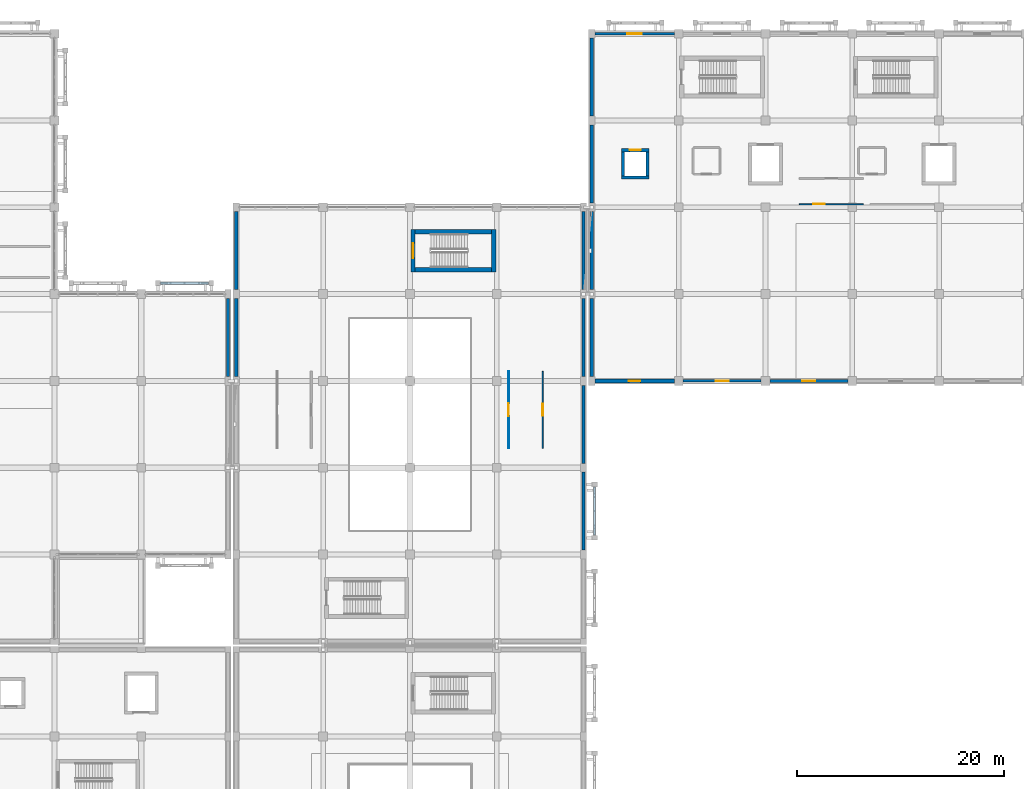
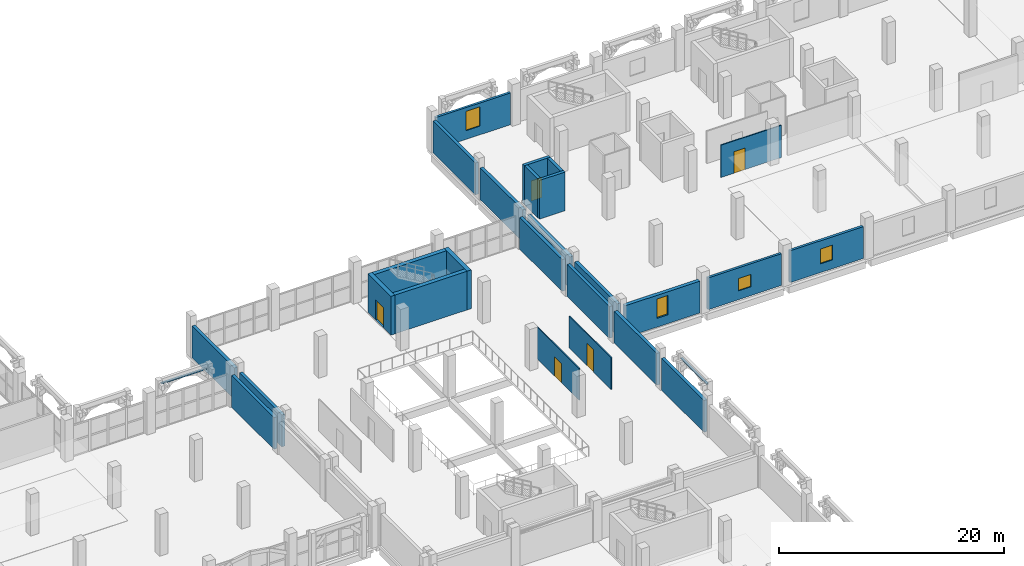
# One storey, part 117 of 137: 28 walls, 5 doors, 4 windows, 9 openings.
"""IFC4 building model written with IfcOpenShell, lengths in metres."""

from ifc_helpers import new_model, si_unit, direction, frame, frame_2d, origin, place, context, subcontext, project, spatial, rectangle, extrude, material, layer, layer_set, type_object, element, fill, save


model = new_model("IFC4")

# Units and contexts
model_context = context("Model", 3, precision=1e-05, world=origin(), true_north=direction((0.0, 1.0)))
body_context = subcontext(model_context, "Body", "Model", "MODEL_VIEW")
ifc_project = project(units=[si_unit("LENGTHUNIT", "METRE"), si_unit("AREAUNIT", "SQUARE_METRE"), si_unit("VOLUMEUNIT", "CUBIC_METRE"), si_unit("PLANEANGLEUNIT", "RADIAN"), si_unit("MASSUNIT", "GRAM", prefix="KILO")], contexts=[model_context])

# Site, building, storey
site_placement = place(None, origin())
site = spatial("IfcSite", under=ifc_project, at=site_placement, CompositionType="ELEMENT")
building_placement = place(site_placement, origin())
building = spatial("IfcBuilding", under=site, at=building_placement, Name="Xazarin Passage Department Store", CompositionType="ELEMENT")
storey_placement = place(building_placement, frame((0.0, 0.0, 5.39990234375)))
storey = spatial("IfcBuildingStorey", under=building, at=storey_placement, Name="L01", CompositionType="ELEMENT", Elevation=5.39990234375)

# Wall, opening, window
ifc_material_1 = material(Name="Precast concrete C40/50", Category="concrete")
ifc_layer_1 = layer(ifc_material_1, 0.239990234375)
ifc_layer_set_1 = layer_set([ifc_layer_1], Name="Precast concrete C40/50")
wall_type_1 = type_object("IfcWallType", Name="ARC-W-EXT240", PredefinedType="SOLIDWALL", material=ifc_layer_set_1)
wall_1_placement = place(storey_placement, frame((111.22509765625, 76.39990234375, 0.0), z_axis=(0.0, 0.0, 1.0), x_axis=(1.0, 0.0, 0.0)))
wall_1 = element("IfcWall", 1, at=wall_1_placement, inside=storey, type_object=wall_type_1, Name="L01 V4 Exterior Wall 272", PredefinedType="SOLIDWALL", context=body_context, shape_type="SweptSolid", body=[
    extrude(rectangle(XDim=7.5498046875, YDim=0.239990234375, at=frame_2d((3.77490234375, 0.0))), origin(), (0.0, 0.0, 1.0), 3.4501953125),
])
opening_1_placement = place(wall_1_placement, frame((3.14990234375, 0.0, 0.949951171875)))
opening_1 = element("IfcOpeningElement", 2, at=opening_1_placement, cuts=wall_1, Name="Opening W09", PredefinedType="OPENING", context=body_context, shape_type="SweptSolid", body=[
    extrude(rectangle(XDim=1.25, YDim=1.35009765625, at=frame_2d((0.625, 0.675048828125))), frame((0.0, 0.1298828125, 0.0), z_axis=(0.0, -1.0, 0.0), x_axis=(1.0, 0.0, 0.0)), (0.0, 0.0, 1.0), 0.260009765625),
])
ifc_material_2 = material(Name="Low-E laminated safety glass", Category="glass")
window_type_1 = type_object("IfcWindowType", Name="ARC-WIN-W09", PartitioningType="SINGLE_PANEL", PredefinedType="WINDOW", material=ifc_material_2)
window_1_placement = place(opening_1_placement, origin())
window_1 = element("IfcWindow", 3, at=window_1_placement, inside=storey, type_object=window_type_1, Name="L01 V4 Facade Window 0057", OverallHeight=1.35009765625, OverallWidth=1.25, PartitioningType="SINGLE_PANEL", PredefinedType="WINDOW", context=body_context, shape_type="SweptSolid", body=[
    extrude(rectangle(XDim=1.25, YDim=1.35009765625, at=frame_2d((0.625, 0.675048828125))), frame((0.0, 0.030029296875, 0.0), z_axis=(0.0, -1.0, 0.0), x_axis=(1.0, 0.0, 0.0)), (0.0, 0.0, 1.0), 0.06005859375),
])
fill(opening_1, window_1)

wall_2_placement = place(storey_placement, frame((102.699951171875, 110.0, 0.0), z_axis=(0.0, 0.0, 1.0), x_axis=(1.0, 0.0, 0.0)))
wall_2 = element("IfcWall", 4, at=wall_2_placement, inside=storey, type_object=wall_type_1, Name="L01 V4 Exterior Wall 279", PredefinedType="SOLIDWALL", context=body_context, shape_type="SweptSolid", body=[
    extrude(rectangle(XDim=7.675048828125, YDim=0.239990234375, at=frame_2d((3.83740234375, 0.0))), origin(), (0.0, 0.0, 1.0), 3.4501953125),
])
opening_2_placement = place(wall_2_placement, frame((3.137451171875, 0.0, 0.949951171875)))
opening_2 = element("IfcOpeningElement", 5, at=opening_2_placement, cuts=wall_2, Name="Opening W16", PredefinedType="OPENING", context=body_context, shape_type="SweptSolid", body=[
    extrude(rectangle(XDim=1.39990234375, YDim=2.10009765625, at=frame_2d((0.699951171875, 1.050048828125))), frame((0.0, 0.1298828125, 0.0), z_axis=(0.0, -1.0, 0.0), x_axis=(1.0, 0.0, 0.0)), (0.0, 0.0, 1.0), 0.260009765625),
])
window_type_2 = type_object("IfcWindowType", Name="ARC-WIN-W16", PartitioningType="SINGLE_PANEL", PredefinedType="WINDOW", material=ifc_material_2)
window_2_placement = place(opening_2_placement, origin())
window_2 = element("IfcWindow", 6, at=window_2_placement, inside=storey, type_object=window_type_2, Name="L01 V4 Facade Window 0064", OverallHeight=2.10009765625, OverallWidth=1.39990234375, PartitioningType="SINGLE_PANEL", PredefinedType="WINDOW", context=body_context, shape_type="SweptSolid", body=[
    extrude(rectangle(XDim=1.39990234375, YDim=2.10009765625, at=frame_2d((0.699951171875, 1.050048828125))), frame((0.0, 0.030029296875, 0.0), z_axis=(0.0, -1.0, 0.0), x_axis=(1.0, 0.0, 0.0)), (0.0, 0.0, 1.0), 0.06005859375),
])
fill(opening_2, window_2)

ifc_layer_2 = layer(ifc_material_1, 0.260009765625)
ifc_layer_set_2 = layer_set([ifc_layer_2], Name="Precast concrete C40/50")
wall_type_2 = type_object("IfcWallType", Name="ARC-W-EXT260", PredefinedType="SOLIDWALL", material=ifc_layer_set_2)
wall_3_placement = place(storey_placement, frame((119.625, 76.39990234375, 0.0), z_axis=(0.0, 0.0, 1.0), x_axis=(1.0, 0.0, 0.0)))
wall_3 = element("IfcWall", 7, at=wall_3_placement, inside=storey, type_object=wall_type_2, Name="L01 V4 Exterior Wall 273", PredefinedType="SOLIDWALL", context=body_context, shape_type="SweptSolid", body=[
    extrude(rectangle(XDim=7.550048828125, YDim=0.260009765625, at=frame_2d((3.77490234375, 0.0))), origin(), (0.0, 0.0, 1.0), 3.4501953125),
])
opening_3_placement = place(wall_3_placement, frame((3.14990234375, 0.0, 0.949951171875)))
opening_3 = element("IfcOpeningElement", 8, at=opening_3_placement, cuts=wall_3, Name="Opening W10", PredefinedType="OPENING", context=body_context, shape_type="SweptSolid", body=[
    extrude(rectangle(XDim=1.25, YDim=1.60009765625, at=frame_2d((0.625, 0.800048828125))), frame((0.0, 0.139892578125, 0.0), z_axis=(0.0, -1.0, 0.0), x_axis=(1.0, 0.0, 0.0)), (0.0, 0.0, 1.0), 0.280029296875),
])
window_type_3 = type_object("IfcWindowType", Name="ARC-WIN-W10", PartitioningType="SINGLE_PANEL", PredefinedType="WINDOW", material=ifc_material_2)
window_3_placement = place(opening_3_placement, origin())
window_3 = element("IfcWindow", 9, at=window_3_placement, inside=storey, type_object=window_type_3, Name="L01 V4 Facade Window 0058", OverallHeight=1.60009765625, OverallWidth=1.25, PartitioningType="SINGLE_PANEL", PredefinedType="WINDOW", context=body_context, shape_type="SweptSolid", body=[
    extrude(rectangle(XDim=1.25, YDim=1.60009765625, at=frame_2d((0.625, 0.800048828125))), frame((0.0, 0.030029296875, 0.0), z_axis=(0.0, -1.0, 0.0), x_axis=(1.0, 0.0, 0.0)), (0.0, 0.0, 1.0), 0.06005859375),
])
fill(opening_3, window_3)

# Walls
ifc_material_3 = material(Name="Buff Baku clay brick", Category="masonry")
ifc_layer_3 = layer(ifc_material_3, 0.320068359375)
ifc_layer_set_3 = layer_set([ifc_layer_3], Name="Buff Baku clay brick")
wall_type_3 = type_object("IfcWallType", Name="ARC-W-EXT320", PredefinedType="SOLIDWALL", material=ifc_layer_set_3)
for number, where, z_axis, x_axis, name in (
    (10, (67.199951171875, 76.824951171875, 0.0), (0.0, 0.0, 1.0), (0.0, 1.0, 0.0), "L01 V1 Exterior Wall 032"),
    (11, (68.0, 76.824951171875, 0.0), (0.0, 0.0, 1.0), (0.0, 1.0, 0.0), "L01 V2N Exterior Wall 161"),
):
    element("IfcWall", number, at=place(storey_placement, frame(where, z_axis=z_axis, x_axis=x_axis)), inside=storey, type_object=wall_type_3, Name=name, PredefinedType="SOLIDWALL", context=body_context, shape_type="SweptSolid", body=[
        extrude(rectangle(XDim=7.550048828125, YDim=0.320068359375, at=frame_2d((3.77490234375, 0.0))), origin(), (0.0, 0.0, 1.0), 3.4501953125),
    ])
wall_4_placement = place(storey_placement, frame((68.0, 85.22509765625, 0.0), z_axis=(0.0, 0.0, 1.0), x_axis=(0.0, 1.0, 0.0)))
element("IfcWall", 12, at=wall_4_placement, inside=storey, type_object=wall_type_3, Name="L01 V2N Exterior Wall 162", PredefinedType="SOLIDWALL", context=body_context, shape_type="SweptSolid", body=[
    extrude(rectangle(XDim=7.5498046875, YDim=0.320068359375, at=frame_2d((3.77490234375, 0.0))), origin(), (0.0, 0.0, 1.0), 3.4501953125),
])
for number, where, z_axis, x_axis, name in (
    (13, (101.60009765625, 60.02490234375, 0.0), (0.0, 0.0, 1.0), (0.0, 1.0, 0.0), "L01 V2N Exterior Wall 164"),
    (14, (101.60009765625, 68.425048828125, 0.0), (0.0, 0.0, 1.0), (0.0, 1.0, 0.0), "L01 V2N Exterior Wall 165"),
    (15, (101.60009765625, 76.824951171875, 0.0), (0.0, 0.0, 1.0), (0.0, 1.0, 0.0), "L01 V2N Exterior Wall 166"),
):
    element("IfcWall", number, at=place(storey_placement, frame(where, z_axis=z_axis, x_axis=x_axis)), inside=storey, type_object=wall_type_3, Name=name, PredefinedType="SOLIDWALL", context=body_context, shape_type="SweptSolid", body=[
        extrude(rectangle(XDim=7.550048828125, YDim=0.320068359375, at=frame_2d((3.77490234375, 0.0))), origin(), (0.0, 0.0, 1.0), 3.4501953125),
    ])
wall_5_placement = place(storey_placement, frame((101.60009765625, 85.22509765625, 0.0), z_axis=(0.0, 0.0, 1.0), x_axis=(0.0, 1.0, 0.0)))
element("IfcWall", 16, at=wall_5_placement, inside=storey, type_object=wall_type_3, Name="L01 V2N Exterior Wall 167", PredefinedType="SOLIDWALL", context=body_context, shape_type="SweptSolid", body=[
    extrude(rectangle(XDim=7.5498046875, YDim=0.320068359375, at=frame_2d((3.77490234375, 0.0))), origin(), (0.0, 0.0, 1.0), 3.4501953125),
])
wall_6_placement = place(storey_placement, frame((102.39990234375, 76.824951171875, 0.0), z_axis=(0.0, 0.0, 1.0), x_axis=(0.0, 1.0, 0.0)))
element("IfcWall", 17, at=wall_6_placement, inside=storey, type_object=wall_type_3, Name="L01 V4 Exterior Wall 287", PredefinedType="SOLIDWALL", context=body_context, shape_type="SweptSolid", body=[
    extrude(rectangle(XDim=7.550048828125, YDim=0.320068359375, at=frame_2d((3.77490234375, 0.0))), origin(), (0.0, 0.0, 1.0), 3.4501953125),
])
wall_7_placement = place(storey_placement, frame((102.39990234375, 85.22509765625, 0.0), z_axis=(0.0, 0.0, 1.0), x_axis=(0.0, 1.0, 0.0)))
element("IfcWall", 18, at=wall_7_placement, inside=storey, type_object=wall_type_3, Name="L01 V4 Exterior Wall 288", PredefinedType="SOLIDWALL", context=body_context, shape_type="SweptSolid", body=[
    extrude(rectangle(XDim=7.5498046875, YDim=0.320068359375, at=frame_2d((3.77490234375, 0.0))), origin(), (0.0, 0.0, 1.0), 3.4501953125),
])
for number, where, z_axis, x_axis, name in (
    (19, (102.39990234375, 93.625, 0.0), (0.0, 0.0, 1.0), (0.0, 1.0, 0.0), "L01 V4 Exterior Wall 289"),
    (20, (102.39990234375, 102.02490234375, 0.0), (0.0, 0.0, 1.0), (0.0, 1.0, 0.0), "L01 V4 Exterior Wall 290"),
):
    element("IfcWall", number, at=place(storey_placement, frame(where, z_axis=z_axis, x_axis=x_axis)), inside=storey, type_object=wall_type_3, Name=name, PredefinedType="SOLIDWALL", context=body_context, shape_type="SweptSolid", body=[
        extrude(rectangle(XDim=7.550048828125, YDim=0.320068359375, at=frame_2d((3.77490234375, 0.0))), origin(), (0.0, 0.0, 1.0), 3.4501953125),
    ])

# Wall, opening, window
ifc_material_4 = material(Name="Absheron limestone cladding", Category="masonry")
ifc_layer_4 = layer(ifc_material_4, 0.360107421875)
ifc_layer_set_4 = layer_set([ifc_layer_4], Name="Absheron limestone cladding")
wall_type_4 = type_object("IfcWallType", Name="ARC-W-EXT360", PredefinedType="SOLIDWALL", material=ifc_layer_set_4)
wall_8_placement = place(storey_placement, frame((102.699951171875, 76.39990234375, 0.0), z_axis=(0.0, 0.0, 1.0), x_axis=(1.0, 0.0, 0.0)))
wall_8 = element("IfcWall", 21, at=wall_8_placement, inside=storey, type_object=wall_type_4, Name="L01 V4 Exterior Wall 271", PredefinedType="SOLIDWALL", context=body_context, shape_type="SweptSolid", body=[
    extrude(rectangle(XDim=7.675048828125, YDim=0.360107421875, at=frame_2d((3.83740234375, 0.0))), origin(), (0.0, 0.0, 1.0), 3.4501953125),
])
opening_4_placement = place(wall_8_placement, frame((3.28759765625, 0.0, 0.949951171875)))
opening_4 = element("IfcOpeningElement", 22, at=opening_4_placement, cuts=wall_8, Name="Opening W08", PredefinedType="OPENING", context=body_context, shape_type="SweptSolid", body=[
    extrude(rectangle(XDim=1.10009765625, YDim=2.10009765625, at=frame_2d((0.550048828125, 1.050048828125))), frame((0.0, 0.18994140625, 0.0), z_axis=(0.0, -1.0, 0.0), x_axis=(1.0, 0.0, 0.0)), (0.0, 0.0, 1.0), 0.380126953125),
])
window_type_4 = type_object("IfcWindowType", Name="ARC-WIN-W08", PartitioningType="SINGLE_PANEL", PredefinedType="WINDOW", material=ifc_material_2)
window_4_placement = place(opening_4_placement, origin())
window_4 = element("IfcWindow", 23, at=window_4_placement, inside=storey, type_object=window_type_4, Name="L01 V4 Facade Window 0056", OverallHeight=2.10009765625, OverallWidth=1.10009765625, PartitioningType="SINGLE_PANEL", PredefinedType="WINDOW", context=body_context, shape_type="SweptSolid", body=[
    extrude(rectangle(XDim=1.10009765625, YDim=2.10009765625, at=frame_2d((0.550048828125, 1.050048828125))), frame((0.0, 0.030029296875, 0.0), z_axis=(0.0, -1.0, 0.0), x_axis=(1.0, 0.0, 0.0)), (0.0, 0.0, 1.0), 0.06005859375),
])
fill(opening_4, window_4)

# Walls
ifc_layer_5 = layer(ifc_material_1, 0.2099609375)
ifc_layer_set_5 = layer_set([ifc_layer_5], Name="Precast concrete C40/50")
wall_type_5 = type_object("IfcWallType", Name="ARC-W-PAR210", PredefinedType="PARAPET", material=ifc_layer_set_5)
wall_9_placement = place(storey_placement, frame((60.669921875, 85.85009765625, 3.880126953125), z_axis=(0.0, 0.0, 1.0), x_axis=(1.0, 0.0, 0.0)))
element("IfcWall", 24, at=wall_9_placement, inside=storey, type_object=wall_type_5, Name="L01 V1 Pierced-Arch Spandrel Lintel 0034", PredefinedType="PARAPET", context=body_context, shape_type="SweptSolid", body=[
    extrude(rectangle(XDim=4.66015625, YDim=0.2099609375, at=frame_2d((2.330078125, 0.0))), origin(), (0.0, 0.0, 1.0), 0.119873046875),
])
wall_10_placement = place(storey_placement, frame((102.64990234375, 61.469970703125, 3.880126953125), z_axis=(0.0, 0.0, 1.0), x_axis=(0.0, 1.0, 0.0)))
element("IfcWall", 25, at=wall_10_placement, inside=storey, type_object=wall_type_5, Name="L01 V2N Pierced-Arch Spandrel Lintel 0106", PredefinedType="PARAPET", context=body_context, shape_type="SweptSolid", body=[
    extrude(rectangle(XDim=4.659912109375, YDim=0.2099609375, at=frame_2d((2.330078125, 0.0))), origin(), (0.0, 0.0, 1.0), 0.119873046875),
])

# Wall, opening, door
ifc_material_5 = material(Name="Gypsum board acoustic partition")
ifc_layer_6 = layer(ifc_material_5, 0.094970703125)
ifc_layer_set_6 = layer_set([ifc_layer_6], Name="Gypsum board acoustic partition")
wall_type_6 = type_object("IfcWallType", Name="ARC-W-PRT095", PredefinedType="PARTITIONING", material=ifc_layer_set_6)
wall_11_placement = place(storey_placement, frame((94.35009765625, 69.8701171875, 0.0), z_axis=(0.0, 0.0, 1.0), x_axis=(0.0, 1.0, 0.0)))
wall_11 = element("IfcWall", 26, at=wall_11_placement, inside=storey, type_object=wall_type_6, Name="L01 Arcade Boutique Front Wall 0112", PredefinedType="PARTITIONING", context=body_context, shape_type="SweptSolid", body=[
    extrude(rectangle(XDim=7.4599609375, YDim=0.094970703125, at=frame_2d((3.72998046875, 0.0))), origin(), (0.0, 0.0, 1.0), 3.4501953125),
])
opening_5_placement = place(wall_11_placement, frame((3.090087890625, 0.0, 0.0)))
opening_5 = element("IfcOpeningElement", 27, at=opening_5_placement, cuts=wall_11, Name="Opening ID27", PredefinedType="OPENING", context=body_context, shape_type="SweptSolid", body=[
    extrude(rectangle(XDim=1.280029296875, YDim=2.10009765625, at=frame_2d((0.64013671875, 1.050048828125))), frame((0.0, 0.057373046875, 0.0), z_axis=(0.0, -1.0, 0.0), x_axis=(1.0, 0.0, 0.0)), (0.0, 0.0, 1.0), 0.114990234375),
])
ifc_material_6 = material(Name="Timber acoustic leaf", Category="wood")
door_type_1 = type_object("IfcDoorType", Name="ARC-DR-ID27", OperationType="NOTDEFINED", PredefinedType="DOOR", material=ifc_material_6)
door_1_placement = place(opening_5_placement, origin())
door_1 = element("IfcDoor", 28, at=door_1_placement, inside=storey, type_object=door_type_1, Name="DR-INT-L01-0112", OperationType="SINGLE_SWING_LEFT", OverallHeight=2.10009765625, OverallWidth=1.280029296875, PredefinedType="DOOR", context=body_context, shape_type="SweptSolid", body=[
    extrude(rectangle(XDim=1.280029296875, YDim=2.10009765625, at=frame_2d((0.64013671875, 1.050048828125))), frame((0.0, 0.02490234375, 0.0), z_axis=(0.0, -1.0, 0.0), x_axis=(1.0, 0.0, 0.0)), (0.0, 0.0, 1.0), 0.050048828125),
])
fill(opening_5, door_1)

ifc_layer_7 = layer(ifc_material_5, 0.110107421875)
ifc_layer_set_7 = layer_set([ifc_layer_7], Name="Gypsum board acoustic partition")
wall_type_7 = type_object("IfcWallType", Name="ARC-W-PRT110", PredefinedType="PARTITIONING", material=ifc_layer_set_7)
wall_12_placement = place(storey_placement, frame((97.64990234375, 69.8701171875, 0.0), z_axis=(0.0, 0.0, 1.0), x_axis=(0.0, 1.0, 0.0)))
wall_12 = element("IfcWall", 29, at=wall_12_placement, inside=storey, type_object=wall_type_7, Name="L01 Arcade Boutique Front Wall 0111", PredefinedType="PARTITIONING", context=body_context, shape_type="SweptSolid", body=[
    extrude(rectangle(XDim=7.4599609375, YDim=0.110107421875, at=frame_2d((3.72998046875, 0.0))), origin(), (0.0, 0.0, 1.0), 3.4501953125),
])
opening_6_placement = place(wall_12_placement, frame((3.139892578125, 0.0, 0.0)))
opening_6 = element("IfcOpeningElement", 30, at=opening_6_placement, cuts=wall_12, Name="Opening ID26", PredefinedType="OPENING", context=body_context, shape_type="SweptSolid", body=[
    extrude(rectangle(XDim=1.179931640625, YDim=2.4599609375, at=frame_2d((0.58984375, 1.22998046875))), frame((0.0, 0.06494140625, 0.0), z_axis=(0.0, -1.0, 0.0), x_axis=(1.0, 0.0, 0.0)), (0.0, 0.0, 1.0), 0.130126953125),
])
door_type_2 = type_object("IfcDoorType", Name="ARC-DR-ID26", OperationType="NOTDEFINED", PredefinedType="DOOR", material=ifc_material_6)
door_2_placement = place(opening_6_placement, origin())
door_2 = element("IfcDoor", 31, at=door_2_placement, inside=storey, type_object=door_type_2, Name="DR-INT-L01-0111", OperationType="SINGLE_SWING_RIGHT", OverallHeight=2.4599609375, OverallWidth=1.179931640625, PredefinedType="DOOR", context=body_context, shape_type="SweptSolid", body=[
    extrude(rectangle(XDim=1.179931640625, YDim=2.4599609375, at=frame_2d((0.58984375, 1.22998046875))), frame((0.0, 0.02490234375, 0.0), z_axis=(0.0, -1.0, 0.0), x_axis=(1.0, 0.0, 0.0)), (0.0, 0.0, 1.0), 0.050048828125),
])
fill(opening_6, door_2)

wall_13_placement = place(storey_placement, frame((122.469970703125, 93.5, 0.0), z_axis=(0.0, 0.0, 1.0), x_axis=(1.0, 0.0, 0.0)))
wall_13 = element("IfcWall", 32, at=wall_13_placement, inside=storey, type_object=wall_type_7, Name="L01 Packaging and Dispatch Room Front Wall 0136", PredefinedType="PARTITIONING", context=body_context, shape_type="SweptSolid", body=[
    extrude(rectangle(XDim=6.2099609375, YDim=0.110107421875, at=frame_2d((3.10498046875, 0.0))), origin(), (0.0, 0.0, 1.0), 3.5),
])
opening_7_placement = place(wall_13_placement, frame((1.344970703125, 0.0, 0.0)))
opening_7 = element("IfcOpeningElement", 33, at=opening_7_placement, cuts=wall_13, Name="Opening ID21", PredefinedType="OPENING", context=body_context, shape_type="SweptSolid", body=[
    extrude(rectangle(XDim=1.1201171875, YDim=2.340087890625, at=frame_2d((0.56005859375, 1.169921875))), frame((0.0, 0.06494140625, 0.0), z_axis=(0.0, -1.0, 0.0), x_axis=(1.0, 0.0, 0.0)), (0.0, 0.0, 1.0), 0.130126953125),
])
door_type_3 = type_object("IfcDoorType", Name="ARC-DR-ID21", OperationType="NOTDEFINED", PredefinedType="DOOR", material=ifc_material_6)
door_3_placement = place(opening_7_placement, origin())
door_3 = element("IfcDoor", 34, at=door_3_placement, inside=storey, type_object=door_type_3, Name="DR-INT-L01-0136", OperationType="SINGLE_SWING_RIGHT", OverallHeight=2.340087890625, OverallWidth=1.1201171875, PredefinedType="DOOR", context=body_context, shape_type="SweptSolid", body=[
    extrude(rectangle(XDim=1.1201171875, YDim=2.340087890625, at=frame_2d((0.56005859375, 1.169921875))), frame((0.0, 0.02490234375, 0.0), z_axis=(0.0, -1.0, 0.0), x_axis=(1.0, 0.0, 0.0)), (0.0, 0.0, 1.0), 0.050048828125),
])
fill(opening_7, door_3)

# Wall
ifc_material_7 = material(Name="Concrete C40/50", Category="concrete")
ifc_layer_8 = layer(ifc_material_7, 0.31005859375)
ifc_layer_set_8 = layer_set([ifc_layer_8], Name="Concrete C40/50")
wall_type_8 = type_object("IfcWallType", Name="STR-W-LFT310", PredefinedType="SHEAR", material=ifc_layer_set_8)
wall_14_placement = place(storey_placement, frame((105.27001953125, 96.074951171875, 0.0), z_axis=(0.0, 0.0, 1.0), x_axis=(1.0, 0.0, 0.0)))
element("IfcWall", 35, at=wall_14_placement, inside=storey, type_object=wall_type_8, Name="L01 Lift PL5 Shaft Wall South", PredefinedType="SHEAR", context=body_context, shape_type="SweptSolid", body=[
    extrude(rectangle(XDim=2.659912109375, YDim=0.31005859375, at=frame_2d((1.330078125, 0.0))), origin(), (0.0, 0.0, 1.0), 4.2001953125),
])

# Wall, opening, door
wall_15_placement = place(storey_placement, frame((105.27001953125, 98.72509765625, 0.0), z_axis=(0.0, 0.0, 1.0), x_axis=(1.0, 0.0, 0.0)))
wall_15 = element("IfcWall", 36, at=wall_15_placement, inside=storey, type_object=wall_type_8, Name="L01 Lift PL5 Shaft Wall North", PredefinedType="SHEAR", context=body_context, shape_type="SweptSolid", body=[
    extrude(rectangle(XDim=2.659912109375, YDim=0.31005859375, at=frame_2d((1.330078125, 0.0))), origin(), (0.0, 0.0, 1.0), 4.2001953125),
])
opening_8_placement = place(wall_15_placement, frame((0.780029296875, 0.0, 0.0)))
opening_8 = element("IfcOpeningElement", 37, at=opening_8_placement, cuts=wall_15, Name="Opening LD-PL5-L01", PredefinedType="OPENING", context=body_context, shape_type="SweptSolid", body=[
    extrude(rectangle(XDim=1.10009765625, YDim=2.199951171875, at=frame_2d((0.550048828125, 1.10009765625))), frame((0.0, 0.1650390625, 0.0), z_axis=(0.0, -1.0, 0.0), x_axis=(1.0, 0.0, 0.0)), (0.0, 0.0, 1.0), 0.330078125),
])
ifc_material_8 = material(Name="Steel S355", Category="steel")
door_type_4 = type_object("IfcDoorType", Name="ARC-DR-LD110", OperationType="NOTDEFINED", PredefinedType="DOOR", material=ifc_material_8)
door_4_placement = place(opening_8_placement, origin())
door_4 = element("IfcDoor", 38, at=door_4_placement, inside=storey, type_object=door_type_4, Name="DR-LD-PL5-L01", OperationType="SLIDING_TO_LEFT", OverallHeight=2.199951171875, OverallWidth=1.10009765625, PredefinedType="DOOR", context=body_context, shape_type="SweptSolid", body=[
    extrude(rectangle(XDim=1.10009765625, YDim=2.199951171875, at=frame_2d((0.550048828125, 1.10009765625))), frame((0.0, 0.02490234375, 0.0), z_axis=(0.0, -1.0, 0.0), x_axis=(1.0, 0.0, 0.0)), (0.0, 0.0, 1.0), 0.050048828125),
])
fill(opening_8, door_4)

# Walls
for number, where, z_axis, x_axis, name in (
    (39, (105.425048828125, 96.22998046875, 0.0), (0.0, 0.0, 1.0), (0.0, 1.0, 0.0), "L01 Lift PL5 Shaft Wall West"),
    (40, (107.77490234375, 96.22998046875, 0.0), (0.0, 0.0, 1.0), (0.0, 1.0, 0.0), "L01 Lift PL5 Shaft Wall East"),
):
    element("IfcWall", number, at=place(storey_placement, frame(where, z_axis=z_axis, x_axis=x_axis)), inside=storey, type_object=wall_type_8, Name=name, PredefinedType="SHEAR", context=body_context, shape_type="SweptSolid", body=[
        extrude(rectangle(XDim=2.340087890625, YDim=0.31005859375, at=frame_2d((1.169921875, 0.0))), origin(), (0.0, 0.0, 1.0), 4.2001953125),
    ])

# Wall, opening, door
ifc_layer_9 = layer(ifc_material_7, 0.419921875)
ifc_layer_set_9 = layer_set([ifc_layer_9], Name="Concrete C40/50")
wall_type_9 = type_object("IfcWallType", Name="STR-W-SHR420", PredefinedType="SHEAR", material=ifc_layer_set_9)
wall_16_placement = place(storey_placement, frame((85.090087890625, 91.0400390625, 0.0), z_axis=(0.0, 0.0, 1.0), x_axis=(0.0, -1.0, 0.0)))
wall_16 = element("IfcWall", 41, at=wall_16_placement, inside=storey, type_object=wall_type_9, Name="L01 Core K7 West Shear Wall", PredefinedType="SHEAR", context=body_context, shape_type="SweptSolid", body=[
    extrude(rectangle(XDim=4.080078125, YDim=0.419921875, at=frame_2d((2.0400390625, 0.0))), origin(), (0.0, 0.0, 1.0), 4.2001953125),
])
opening_9_placement = place(wall_16_placement, frame((1.31494140625, 0.0, 0.0)))
opening_9 = element("IfcOpeningElement", 42, at=opening_9_placement, cuts=wall_16, Name="Opening FD1", PredefinedType="OPENING", context=body_context, shape_type="SweptSolid", body=[
    extrude(rectangle(XDim=1.449951171875, YDim=2.199951171875, at=frame_2d((0.72509765625, 1.10009765625))), frame((0.0, 0.219970703125, 0.0), z_axis=(0.0, -1.0, 0.0), x_axis=(1.0, 0.0, 0.0)), (0.0, 0.0, 1.0), 0.43994140625),
])
door_type_5 = type_object("IfcDoorType", Name="ARC-DR-STR145", OperationType="NOTDEFINED", PredefinedType="DOOR", material=ifc_material_8)
door_5_placement = place(opening_9_placement, origin())
door_5 = element("IfcDoor", 43, at=door_5_placement, inside=storey, type_object=door_type_5, Name="DR-STR-K7-L01", OperationType="SINGLE_SWING_RIGHT", OverallHeight=2.199951171875, OverallWidth=1.449951171875, PredefinedType="DOOR", context=body_context, shape_type="SweptSolid", body=[
    extrude(rectangle(XDim=1.449951171875, YDim=2.199951171875, at=frame_2d((0.72509765625, 1.10009765625))), frame((0.0, 0.02490234375, 0.0), z_axis=(0.0, -1.0, 0.0), x_axis=(1.0, 0.0, 0.0)), (0.0, 0.0, 1.0), 0.050048828125),
])
fill(opening_9, door_5)

# Walls
wall_17_placement = place(storey_placement, frame((92.909912109375, 86.9599609375, 0.0), z_axis=(0.0, 0.0, 1.0), x_axis=(0.0, 1.0, 0.0)))
element("IfcWall", 44, at=wall_17_placement, inside=storey, type_object=wall_type_9, Name="L01 Core K7 East Shear Wall", PredefinedType="SHEAR", context=body_context, shape_type="SweptSolid", body=[
    extrude(rectangle(XDim=4.080078125, YDim=0.419921875, at=frame_2d((2.0400390625, 0.0))), origin(), (0.0, 0.0, 1.0), 4.2001953125),
])
for number, where, z_axis, x_axis, name in (
    (45, (85.300048828125, 87.169921875, 0.0), (0.0, 0.0, 1.0), (1.0, 0.0, 0.0), "L01 Core K7 South Shear Wall"),
    (46, (85.300048828125, 90.830078125, 0.0), (0.0, 0.0, 1.0), (1.0, 0.0, 0.0), "L01 Core K7 North Shear Wall"),
):
    element("IfcWall", number, at=place(storey_placement, frame(where, z_axis=z_axis, x_axis=x_axis)), inside=storey, type_object=wall_type_9, Name=name, PredefinedType="SHEAR", context=body_context, shape_type="SweptSolid", body=[
        extrude(rectangle(XDim=7.39990234375, YDim=0.419921875, at=frame_2d((3.699951171875, 0.0))), origin(), (0.0, 0.0, 1.0), 4.2001953125),
    ])

save(model, "model.ifc")
